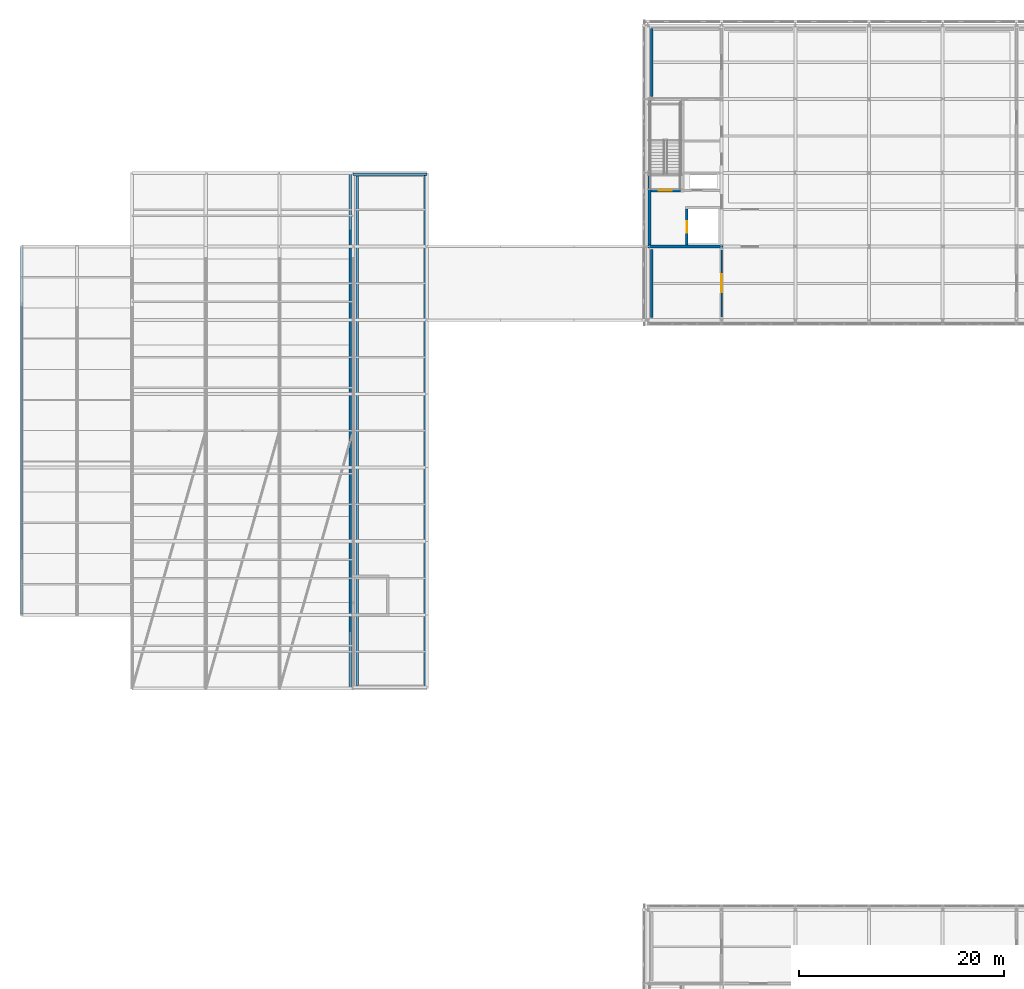
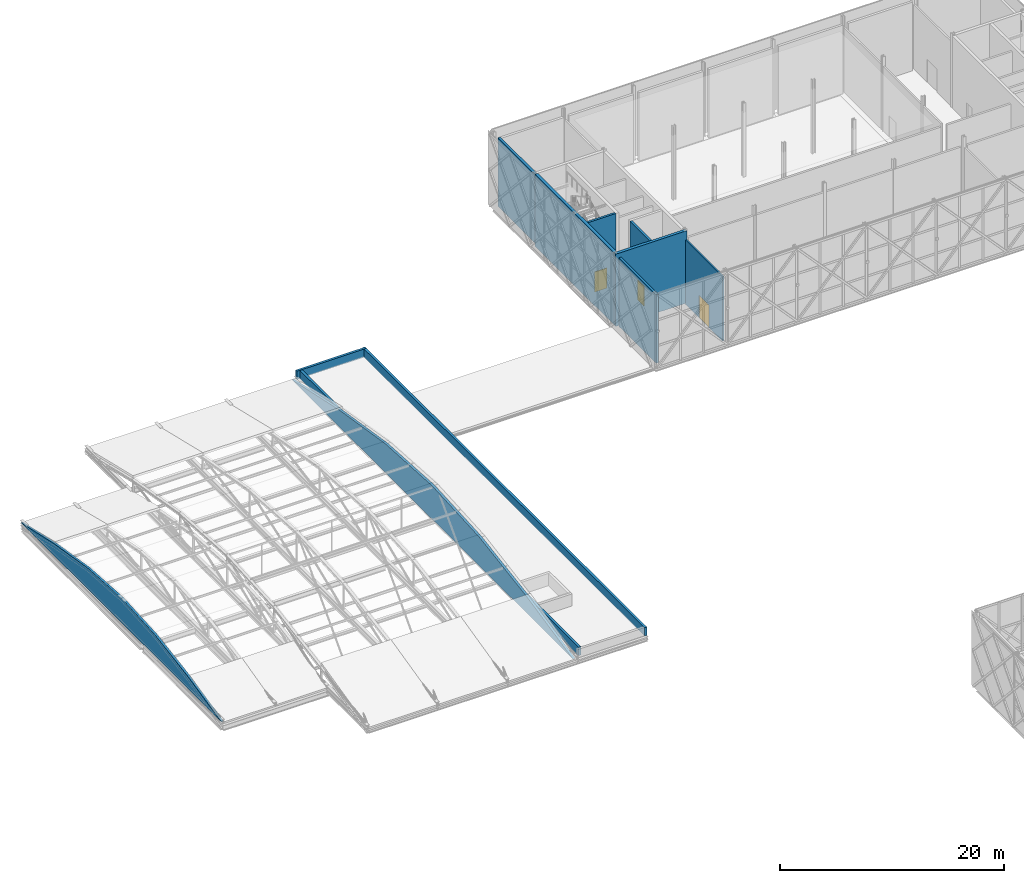
# One storey, part 69 of 76: 12 walls, 3 doors, 3 openings.
"""IFC4 building model written with IfcOpenShell, lengths in metres."""

from ifc_helpers import new_model, si_unit, direction, frame, frame_2d, origin, place, context, subcontext, project, spatial, polyline, rectangle, outline, extrude, material, layer, layer_set, type_object, element, fill, save


model = new_model("IFC4")

# Units and contexts
model_context = context("Model", 3, precision=1e-05, world=origin(), true_north=direction((0.0, 1.0)))
body_context = subcontext(model_context, "Body", "Model", "MODEL_VIEW")
ifc_project = project(units=[si_unit("LENGTHUNIT", "METRE"), si_unit("AREAUNIT", "SQUARE_METRE"), si_unit("VOLUMEUNIT", "CUBIC_METRE"), si_unit("PLANEANGLEUNIT", "RADIAN"), si_unit("MASSUNIT", "GRAM", prefix="KILO")], contexts=[model_context])

# Site, building, storey
site_placement = place(None, origin())
site = spatial("IfcSite", under=ifc_project, at=site_placement, CompositionType="ELEMENT")
building_placement = place(site_placement, origin())
building = spatial("IfcBuilding", under=site, at=building_placement, Name="Zlatovets Crest Museum", CompositionType="ELEMENT")
storey_placement = place(building_placement, frame((0.0, 0.0, 17.10009765625)))
storey = spatial("IfcBuildingStorey", under=building, at=storey_placement, Name="L04", CompositionType="ELEMENT", Elevation=17.10009765625)

# Walls
ifc_material_1 = material(Name="Concrete C35/45", Category="concrete")
ifc_layer_1 = layer(ifc_material_1, 0.300048828125)
ifc_layer_set_1 = layer_set([ifc_layer_1], Name="Concrete C35/45")
wall_type_1 = type_object("IfcWallType", Name="CoreWall_SW01", PredefinedType="SHEAR", material=ifc_layer_set_1)
wall_1_placement = place(storey_placement, frame((57.60009765625, 93.60009765625, 0.0), z_axis=(0.0, 0.0, 1.0), x_axis=(1.0, 0.0, 0.0)))
element("IfcWall", 1, at=wall_1_placement, inside=storey, type_object=wall_type_1, Name="Core C1 L04 South Shear Wall", PredefinedType="SHEAR", context=body_context, shape_type="SweptSolid", body=[
    extrude(rectangle(XDim=7.349853515625, YDim=0.300048828125, at=frame_2d((3.6748046875, 0.0))), origin(), (0.0, 0.0, 1.0), 7.8798828125),
])
wall_2_placement = place(storey_placement, frame((57.75, 93.75, 0.0), z_axis=(0.0, 0.0, 1.0), x_axis=(0.0, 1.0, 0.0)))
element("IfcWall", 2, at=wall_2_placement, inside=storey, type_object=wall_type_1, Name="Core C1 L04 Perimeter Shear Wall", PredefinedType="SHEAR", context=body_context, shape_type="SweptSolid", body=[
    extrude(rectangle(XDim=14.10009765625, YDim=0.300048828125, at=frame_2d((7.050048828125, 0.0))), origin(), (0.0, 0.0, 1.0), 7.8798828125),
])

# Wall, opening, door
ifc_layer_2 = layer(ifc_material_1, 0.25)
ifc_layer_set_2 = layer_set([ifc_layer_2], Name="Concrete C35/45")
wall_type_2 = type_object("IfcWallType", Name="CoreWall_SW02", PredefinedType="SHEAR", material=ifc_layer_set_2)
wall_3_placement = place(storey_placement, frame((61.39990234375, 93.75, 0.0), z_axis=(0.0, 0.0, 1.0), x_axis=(0.0, 1.0, 0.0)))
wall_3 = element("IfcWall", 3, at=wall_3_placement, inside=storey, type_object=wall_type_2, Name="Core C1 L04 Lift Shaft Wall", PredefinedType="SHEAR", context=body_context, shape_type="SweptSolid", body=[
    extrude(rectangle(XDim=3.52490234375, YDim=0.25, at=frame_2d((1.762451171875, 0.0))), origin(), (0.0, 0.0, 1.0), 7.8798828125),
])
opening_1_placement = place(wall_3_placement, frame((1.199951171875, 0.0, 0.0)))
opening_1 = element("IfcOpeningElement", 4, at=opening_1_placement, cuts=wall_3, Name="Opening LD-01", PredefinedType="OPENING", context=body_context, shape_type="SweptSolid", body=[
    extrude(rectangle(XDim=1.10009765625, YDim=2.14990234375, at=frame_2d((0.550048828125, 1.074951171875))), frame((0.0, 0.135009765625, 0.0), z_axis=(0.0, -1.0, 0.0), x_axis=(1.0, 0.0, 0.0)), (0.0, 0.0, 1.0), 0.27001953125),
])
ifc_material_2 = material(Name="Stainless-bronze sliding lift landing door")
door_type_1 = type_object("IfcDoorType", Name="IntDoor_LD-01", OperationType="SLIDING_TO_LEFT", PredefinedType="DOOR", material=ifc_material_2)
door_1_placement = place(opening_1_placement, origin())
door_1 = element("IfcDoor", 5, at=door_1_placement, inside=storey, type_object=door_type_1, Name="LDOOR-FL1-L04 Lift FL1 L04 Sliding Landing Door", OperationType="SLIDING_TO_LEFT", OverallHeight=2.14990234375, OverallWidth=1.10009765625, PredefinedType="DOOR", context=body_context, shape_type="SweptSolid", body=[
    extrude(rectangle(XDim=1.10009765625, YDim=2.14990234375, at=frame_2d((0.550048828125, 1.074951171875))), frame((0.0, 0.02490234375, 0.0), z_axis=(0.0, -1.0, 0.0), x_axis=(1.0, 0.0, 0.0)), (0.0, 0.0, 1.0), 0.050048828125),
])
fill(opening_1, door_1)

wall_4_placement = place(storey_placement, frame((57.89990234375, 99.050048828125, 0.0), z_axis=(0.0, 0.0, 1.0), x_axis=(1.0, 0.0, 0.0)))
wall_4 = element("IfcWall", 6, at=wall_4_placement, inside=storey, type_object=wall_type_2, Name="Core C1 L04 Stairwell Fire Wall", PredefinedType="SHEAR", context=body_context, shape_type="SweptSolid", body=[
    extrude(rectangle(XDim=2.900146484375, YDim=0.219970703125, at=frame_2d((1.4501953125, 0.0))), origin(), (0.0, 0.0, 1.0), 7.8798828125),
])
opening_2_placement = place(wall_4_placement, frame((0.75, 0.0, 0.0)))
opening_2 = element("IfcOpeningElement", 7, at=opening_2_placement, cuts=wall_4, Name="Opening FD-01", PredefinedType="OPENING", context=body_context, shape_type="SweptSolid", body=[
    extrude(rectangle(XDim=1.300048828125, YDim=2.199951171875, at=frame_2d((0.64990234375, 1.10009765625))), frame((0.0, 0.1201171875, 0.0), z_axis=(0.0, -1.0, 0.0), x_axis=(1.0, 0.0, 0.0)), (0.0, 0.0, 1.0), 0.239990234375),
])
ifc_material_3 = material(Name="Smoke-sealed steel fire door", Category="steel")
door_type_2 = type_object("IfcDoorType", Name="IntDoor_FD-01", OperationType="NOTDEFINED", PredefinedType="DOOR", material=ifc_material_3)
door_2_placement = place(opening_2_placement, origin())
door_2 = element("IfcDoor", 8, at=door_2_placement, inside=storey, type_object=door_type_2, Name="SDOOR-ST1-L04 Stair ST1 L04 Fire Door", OperationType="SINGLE_SWING_LEFT", OverallHeight=2.199951171875, OverallWidth=1.300048828125, PredefinedType="DOOR", context=body_context, shape_type="SweptSolid", body=[
    extrude(rectangle(XDim=1.300048828125, YDim=2.199951171875, at=frame_2d((0.64990234375, 1.10009765625))), frame((0.0, 0.02490234375, 0.0), z_axis=(0.0, -1.0, 0.0), x_axis=(1.0, 0.0, 0.0)), (0.0, 0.0, 1.0), 0.050048828125),
])
fill(opening_2, door_2)

# Walls
ifc_material_4 = material(Name="Insulated gallery conservation liner wall", Category="concrete")
ifc_layer_3 = layer(ifc_material_4, 0.300048828125)
ifc_layer_set_3 = layer_set([ifc_layer_3], Name="Insulated gallery conservation liner wall")
wall_type_3 = type_object("IfcWallType", Name="ExtWall_EW-02", PredefinedType="STANDARD", material=ifc_layer_set_3)
wall_5_placement = place(storey_placement, frame((57.97998046875, 114.919921875, 0.0), z_axis=(0.0, 0.0, 1.0), x_axis=(0.0, -1.0, 0.0)))
element("IfcWall", 9, at=wall_5_placement, inside=storey, type_object=wall_type_3, Name="V1 L04 Interior Conservation Gallery Liner Wall", PredefinedType="STANDARD", context=body_context, shape_type="SweptSolid", body=[
    extrude(rectangle(XDim=6.639892578125, YDim=0.239990234375, at=frame_2d((3.31982421875, 0.0))), origin(), (0.0, 0.0, 1.0), 7.47998046875),
])
wall_6_placement = place(storey_placement, frame((57.97998046875, 93.320068359375, 0.0), z_axis=(0.0, 0.0, 1.0), x_axis=(0.0, -1.0, 0.0)))
element("IfcWall", 10, at=wall_6_placement, inside=storey, type_object=wall_type_3, Name="V1 L04 Interior Conservation Gallery Liner Wall", PredefinedType="STANDARD", context=body_context, shape_type="SweptSolid", body=[
    extrude(rectangle(XDim=6.64013671875, YDim=0.239990234375, at=frame_2d((3.320068359375, 0.0))), origin(), (0.0, 0.0, 1.0), 7.47998046875),
])
ifc_material_5 = material(Name="Copper-zinc insulated clerestory and vault tympanum wall", Category="steel")
ifc_layer_4 = layer(ifc_material_5, 0.260009765625)
ifc_layer_set_4 = layer_set([ifc_layer_4], Name="Copper-zinc insulated clerestory and vault tympanum wall")
wall_type_4 = type_object("IfcWallType", Name="ExtWall_EW-04", PredefinedType="STANDARD", material=ifc_layer_set_4)
wall_7_placement = place(storey_placement, frame((28.5, 50.39990234375, 0.02001953125), z_axis=(0.0, 0.0, 1.0), x_axis=(0.0, 1.0, 0.0)))
element("IfcWall", 11, at=wall_7_placement, inside=storey, type_object=wall_type_4, Name="V4MAIN-E Art Nouveau Arched Vault Tympanum Wall", PredefinedType="STANDARD", context=body_context, shape_type="SweptSolid", body=[
    extrude(outline(polyline([(0.0, 0.0), (50.400146484375, 0.0), (50.39990234375, -0.02001953125), (42.0, 1.804931640625), (33.60009765625, 3.140869140625), (25.199951171875, 3.6298828125), (16.800048828125, 3.140869140625), (8.39990234375, 1.804931640625), (0.0, -0.02001953125), (0.0, 0.0)])), frame((0.0, 0.1201171875, 0.0), z_axis=(0.0, -1.0, 0.0), x_axis=(1.0, 0.0, 0.0)), (0.0, 0.0, 1.0), 0.239990234375),
])
wall_8_placement = place(storey_placement, frame((-3.60009765625, 57.60009765625, 0.02001953125), z_axis=(0.0, 0.0, 1.0), x_axis=(0.0, 1.0, 0.0)))
element("IfcWall", 12, at=wall_8_placement, inside=storey, type_object=wall_type_4, Name="V4CANT-W Art Nouveau Arched Vault Tympanum Wall", PredefinedType="STANDARD", context=body_context, shape_type="SweptSolid", body=[
    extrude(outline(polyline([(0.0, 0.0), (36.0, 0.0), (36.0, -0.02001953125), (30.0, 1.304931640625), (24.0, 2.27490234375), (18.0, 2.6298828125), (12.0, 2.27490234375), (6.0, 1.304931640625), (0.0, -0.02001953125), (0.0, 0.0)])), frame((0.0, 0.1201171875, 0.0), z_axis=(0.0, -1.0, 0.0), x_axis=(1.0, 0.0, 0.0)), (0.0, 0.0, 1.0), 0.239990234375),
])
ifc_material_6 = material(Name="Concrete C30/37 with bronze coping", Category="concrete")
ifc_layer_5 = layer(ifc_material_6, 0.239990234375)
ifc_layer_set_5 = layer_set([ifc_layer_5], Name="Concrete C30/37 with bronze coping")
wall_type_5 = type_object("IfcWallType", Name="ExtWall_PW-01", PredefinedType="PARAPET", material=ifc_layer_set_5)
wall_9_placement = place(storey_placement, frame((35.85009765625, 50.39990234375, 0.0), z_axis=(0.0, 0.0, 1.0), x_axis=(0.0, 1.0, 0.0)))
element("IfcWall", 13, at=wall_9_placement, inside=storey, type_object=wall_type_5, Name="V4E L04 Roof Parapet Wall PW-01", PredefinedType="PARAPET", context=body_context, shape_type="SweptSolid", body=[
    extrude(rectangle(XDim=50.400146484375, YDim=0.239990234375, at=frame_2d((25.2001953125, 0.0))), origin(), (0.0, 0.0, 1.0), 0.89990234375),
])
wall_10_placement = place(storey_placement, frame((36.0, 100.64990234375, 0.0), z_axis=(0.0, 0.0, 1.0), x_axis=(-1.0, 0.0, 0.0)))
element("IfcWall", 14, at=wall_10_placement, inside=storey, type_object=wall_type_5, Name="V4E L04 Roof Parapet Wall PW-01", PredefinedType="PARAPET", context=body_context, shape_type="SweptSolid", body=[
    extrude(rectangle(XDim=7.199951171875, YDim=0.239990234375, at=frame_2d((3.60009765625, 0.0))), origin(), (0.0, 0.0, 1.0), 0.89990234375),
])
wall_11_placement = place(storey_placement, frame((29.219970703125, 100.5, 0.0), z_axis=(0.0, 0.0, 1.0), x_axis=(0.0, -1.0, 0.0)))
element("IfcWall", 15, at=wall_11_placement, inside=storey, type_object=wall_type_5, Name="V4E L04 Roof Parapet Wall PW-01", PredefinedType="PARAPET", context=body_context, shape_type="SweptSolid", body=[
    extrude(rectangle(XDim=49.800048828125, YDim=0.239990234375, at=frame_2d((24.89990234375, 0.0))), origin(), (0.0, 0.0, 1.0), 0.89990234375),
])

# Wall, opening, door
ifc_material_7 = material(Name="Acoustic museum gallery stud partition")
ifc_layer_6 = layer(ifc_material_7, 0.159912109375)
ifc_layer_set_6 = layer_set([ifc_layer_6], Name="Acoustic museum gallery stud partition")
wall_type_6 = type_object("IfcWallType", Name="PartWall_PT-02", PredefinedType="PARTITIONING", material=ifc_layer_set_6)
wall_12_placement = place(storey_placement, frame((64.800048828125, 86.719970703125, 0.0), z_axis=(0.0, 0.0, 1.0), x_axis=(0.0, 1.0, 0.0)))
wall_12 = element("IfcWall", 16, at=wall_12_placement, inside=storey, type_object=wall_type_6, Name="V1 L04 Interior Partition PT-02", PredefinedType="PARTITIONING", context=body_context, shape_type="SweptSolid", body=[
    extrude(rectangle(XDim=6.56005859375, YDim=0.159912109375, at=frame_2d((3.280029296875, 0.0))), origin(), (0.0, 0.0, 1.0), 7.0498046875),
])
opening_3_placement = place(wall_12_placement, frame((2.405029296875, 0.0, 0.0)))
opening_3 = element("IfcOpeningElement", 17, at=opening_3_placement, cuts=wall_12, Name="Opening ID-14", PredefinedType="OPENING", context=body_context, shape_type="SweptSolid", body=[
    extrude(rectangle(XDim=1.75, YDim=2.449951171875, at=frame_2d((0.875, 1.22509765625))), frame((0.0, 0.08984375, 0.0), z_axis=(0.0, -1.0, 0.0), x_axis=(1.0, 0.0, 0.0)), (0.0, 0.0, 1.0), 0.179931640625),
])
ifc_material_8 = material(Name="Applied arts salon double door")
door_type_3 = type_object("IfcDoorType", Name="IntDoor_ID-14", OperationType="DOUBLE_DOOR_SINGLE_SWING", PredefinedType="DOOR", material=ifc_material_8)
door_3_placement = place(opening_3_placement, origin())
door_3 = element("IfcDoor", 18, at=door_3_placement, inside=storey, type_object=door_type_3, Name="IDOOR-V1-L04-0215 Monumental Secession Frieze Salon to Fourth Floor Vestibule Door", OperationType="DOUBLE_DOOR_SINGLE_SWING", OverallHeight=2.449951171875, OverallWidth=1.75, PredefinedType="DOOR", context=body_context, shape_type="SweptSolid", body=[
    extrude(rectangle(XDim=1.75, YDim=2.449951171875, at=frame_2d((0.875, 1.22509765625))), frame((0.0, 0.02490234375, 0.0), z_axis=(0.0, -1.0, 0.0), x_axis=(1.0, 0.0, 0.0)), (0.0, 0.0, 1.0), 0.050048828125),
])
fill(opening_3, door_3)

save(model, "model.ifc")
